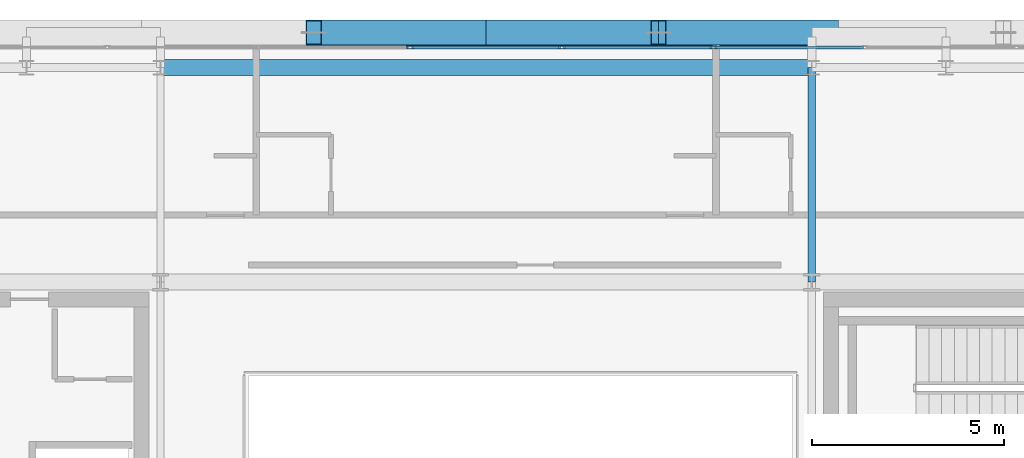
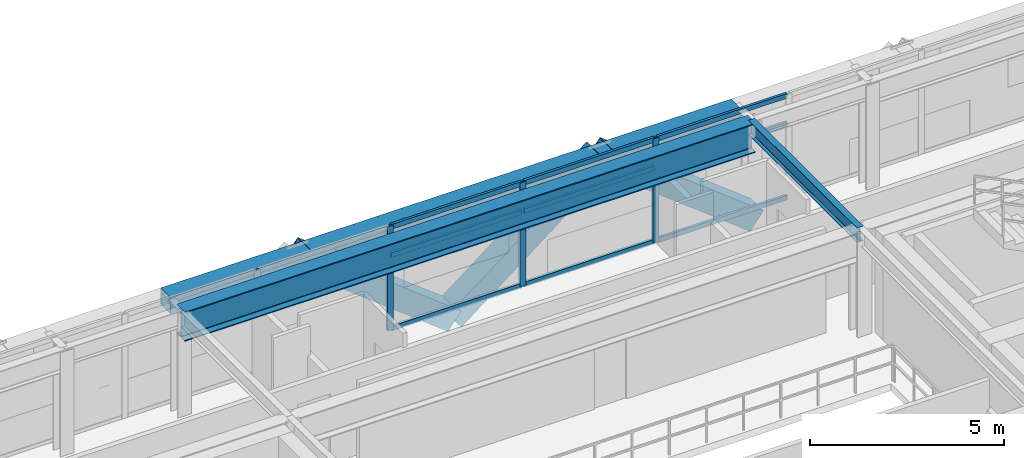
# One storey, part 15 of 28: 15 members, 3 beams, 1 element without a shape of its own.
"""IFC4 building model written with IfcOpenShell, lengths in metres."""

from ifc_helpers import new_model, si_unit, direction, frame, origin, origin_2d, place, context, subcontext, project, spatial, hollow_rectangle, i_section, extrude, source, transform, mapped, material, layer, layer_set, material_profile, profile_set, type_object, element, aggregate, save


model = new_model("IFC4")

# Units and contexts
model_context = context("Model", 3, precision=1e-05, world=origin(), true_north=direction((0.0, 1.0)))
body_context = subcontext(model_context, "Body", "Model", "MODEL_VIEW")
ifc_project = project(units=[si_unit("LENGTHUNIT", "METRE"), si_unit("AREAUNIT", "SQUARE_METRE"), si_unit("VOLUMEUNIT", "CUBIC_METRE"), si_unit("PLANEANGLEUNIT", "RADIAN"), si_unit("MASSUNIT", "GRAM", prefix="KILO")], contexts=[model_context])

# Site, building, storey
site_placement = place(None, origin())
site = spatial("IfcSite", under=ifc_project, at=site_placement, CompositionType="ELEMENT")
building_placement = place(site_placement, origin())
building = spatial("IfcBuilding", under=site, at=building_placement, Name="Ocotamira Hotel", CompositionType="ELEMENT")
storey_placement = place(building_placement, frame((0.0, 0.0, 243.60009765625)))
storey = spatial("IfcBuildingStorey", under=building, at=storey_placement, Name="L61", CompositionType="ELEMENT", Elevation=243.60009765625)

# Beams
ifc_material_1 = material(Name="Steel ASTM A992 Grade 50", Category="steel")
ifc_material_profile_1 = material_profile(ifc_material_1, i_section(OverallWidth=0.41796875, OverallDepth=0.927001953125, WebThickness=0.019287109375, FlangeThickness=0.031982421875, FilletRadius=0.02392578125, at=origin_2d()), Name="W36X231")
ifc_profile_set_1 = profile_set([ifc_material_profile_1], Name="Steel ASTM A992 Grade 50")
beam_type_1 = type_object("IfcBeamType", Name="BM-GIRD-W36X231", PredefinedType="BEAM", material=ifc_profile_set_1)
shared_shape_1 = source(origin(), body_context, "Body", "SweptSolid", [
    extrude(i_section(OverallWidth=0.41796875, OverallDepth=0.927001953125, WebThickness=0.019287109375, FlangeThickness=0.031982421875, FilletRadius=0.02392578125, at=origin_2d()), origin(), (0.0, 0.0, 1.0), 17.0),
])
beam_1_placement = place(storey_placement, frame((23.5, 43.050048828125, 2.81640625), z_axis=(1.0, 0.0, 0.0), x_axis=(0.0, 1.0, 0.0)))
element("IfcBeam", 1, at=beam_1_placement, inside=storey, type_object=beam_type_1, Name="L61 Girder Y43.05 X23.5-40.5", PredefinedType="BEAM", context=body_context, shape_type="MappedRepresentation", body=[
    mapped(shared_shape_1, transform((0.0, 0.0, 0.0), scale=1.0)),
])
ifc_material_2 = material(Name="Steel ASTM A500 Grade C", Category="steel")
ifc_material_profile_2 = material_profile(ifc_material_2, hollow_rectangle(XDim=0.5, YDim=0.5, WallThickness=0.02001953125, at=origin_2d()), Name="HSS500X500X20")
ifc_profile_set_2 = profile_set([ifc_material_profile_2], Name="Steel ASTM A500 Grade C")
beam_type_2 = type_object("IfcBeamType", Name="BM-SPAN-HSS500", PredefinedType="USERDEFINED", material=ifc_profile_set_2)
shared_shape_2 = source(origin(), body_context, "Body", "SweptSolid", [
    extrude(hollow_rectangle(XDim=0.5, YDim=0.5, WallThickness=0.02001953125, at=origin_2d()), origin(), (0.0, 0.0, 1.0), 17.0),
])
beam_2_placement = place(storey_placement, frame((23.5, 43.85009765625, 3.02978515625), z_axis=(1.0, 0.0, 0.0), x_axis=(0.0, 1.0, 0.0)))
element("IfcBeam", 2, at=beam_2_placement, inside=storey, type_object=beam_type_2, Name="L61 Edge Spandrel N X23.5-40.5", ObjectType="SPANDREL", PredefinedType="USERDEFINED", context=body_context, shape_type="MappedRepresentation", body=[
    mapped(shared_shape_2, transform((0.0, 0.0, 0.0), scale=1.0)),
])
ifc_material_profile_3 = material_profile(ifc_material_1, i_section(OverallWidth=0.18994140625, OverallDepth=0.45703125, WebThickness=0.009033203125, FlangeThickness=0.014404296875, FilletRadius=0.010009765625, at=origin_2d()), Name="W18X50")
ifc_profile_set_3 = profile_set([ifc_material_profile_3], Name="Steel ASTM A992 Grade 50")
beam_type_3 = type_object("IfcBeamType", Name="BM-SEC-W18X50", PredefinedType="JOIST", material=ifc_profile_set_3)
shared_shape_3 = source(origin(), body_context, "Body", "SweptSolid", [
    extrude(i_section(OverallWidth=0.18994140625, OverallDepth=0.45703125, WebThickness=0.009033203125, FlangeThickness=0.014404296875, FilletRadius=0.010009765625, at=origin_2d()), origin(), (0.0, 0.0, 1.0), 5.60009765625),
])
beam_3_placement = place(storey_placement, frame((40.5, 37.449951171875, 3.051513671875), z_axis=(0.0, 1.0, 0.0), x_axis=(-1.0, 0.0, 0.0)))
element("IfcBeam", 3, at=beam_3_placement, inside=storey, type_object=beam_type_3, Name="L61 Beam X40.5 Y37.45-43.05", PredefinedType="JOIST", context=body_context, shape_type="MappedRepresentation", body=[
    mapped(shared_shape_3, transform((0.0, 0.0, 0.0), scale=1.0)),
])

# Members
ifc_material_3 = material(Name="Pale-metal coated steel ASTM A913 Grade 65", Category="steel")
ifc_material_profile_4 = material_profile(ifc_material_3, hollow_rectangle(XDim=0.64990234375, YDim=0.64990234375, WallThickness=0.02197265625, at=origin_2d()), Name="BOX650X650X22")
ifc_profile_set_4 = profile_set([ifc_material_profile_4], Name="Pale-metal coated steel ASTM A913 Grade 65")
member_type_1 = type_object("IfcMemberType", Name="MEM-EXO-BOX650", PredefinedType="BRACE", material=ifc_profile_set_4)
shared_shape_4 = source(origin(), body_context, "Body", "SweptSolid", [
    extrude(hollow_rectangle(XDim=0.64990234375, YDim=0.64990234375, WallThickness=0.02197265625, at=origin_2d()), origin(), (0.0, 0.0, 1.0), 5.700927734375),
])
for number, where, z_axis, x_axis, name in (
    (4, (32.0, 43.969970703125, -0.47021484375), (-0.789352217376, 0.0, 0.613940613515), (0.0, -1.0, 0.0), "L61 Exoskeleton Diagrid N1.2"),
    (5, (32.0, 43.969970703125, -0.47021484375), (0.789352217376, 0.0, 0.613940613515), (0.0, 1.0, 0.0), "L61 Exoskeleton Diagrid N2.1"),
    (6, (41.0, 43.969970703125, -0.47021484375), (-0.789352217376, 0.0, 0.613940613515), (0.0, -1.0, 0.0), "L61 Exoskeleton Diagrid N2.2"),
):
    element("IfcMember", number, at=place(storey_placement, frame(where, z_axis=z_axis, x_axis=x_axis)), inside=storey, type_object=member_type_1, Name=name, PredefinedType="BRACE", context=body_context, shape_type="MappedRepresentation", body=[
        mapped(shared_shape_4, transform((0.0, 0.0, 0.0), scale=1.0)),
    ])

# Curtain wall, members
ifc_material_4 = material(Name="Anodised pale-metal aluminium and solar glass", Category="aluminium")
ifc_layer = layer(ifc_material_4, 0.239990234375)
ifc_layer_set = layer_set([ifc_layer], Name="Anodised pale-metal aluminium and solar glass")
curtain_wall_type = type_object("IfcCurtainWallType", Name="CW-SYS5-SKY", PredefinedType="NOTDEFINED", material=ifc_layer_set)
curtain_wall_placement = place(storey_placement, origin())
curtain_wall = element("IfcCurtainWall", 7, at=curtain_wall_placement, inside=storey, type_object=curtain_wall_type, Name="L61 Curtain Wall CW-5 CW-L61-N", PredefinedType="NOTDEFINED")
ifc_material_5 = material(Name="Anodised pale-metal aluminium 6063-T6", Category="aluminium")
ifc_material_profile_5 = material_profile(ifc_material_5, hollow_rectangle(XDim=0.074951171875, YDim=0.14990234375, WallThickness=0.006103515625, at=origin_2d()), Name="HSS150X75X6")
ifc_profile_set_5 = profile_set([ifc_material_profile_5], Name="Anodised pale-metal aluminium 6063-T6")
member_type_2 = type_object("IfcMemberType", Name="CWT-150X75", PredefinedType="USERDEFINED", material=ifc_profile_set_5)
shared_shape_5 = source(origin(), body_context, "Body", "SweptSolid", [
    extrude(hollow_rectangle(XDim=0.074951171875, YDim=0.14990234375, WallThickness=0.006103515625, at=origin_2d()), origin(), (0.0, 0.0, 1.0), 3.87548828125),
])
member_1_placement = place(storey_placement, frame((30.062255859375, 43.580078125, 0.037353515625), z_axis=(1.0, 0.0, 0.0), x_axis=(0.0, 1.0, 0.0)))
member_1 = element("IfcMember", 8, at=member_1_placement, type_object=member_type_2, Name="CW-5 transom 5.1", ObjectType="TRANSOM", PredefinedType="USERDEFINED", context=body_context, shape_type="MappedRepresentation", body=[
    mapped(shared_shape_5, transform((0.0, 0.0, 0.0), scale=1.0)),
])
member_2_placement = place(storey_placement, frame((30.062255859375, 43.580078125, 2.349853515625), z_axis=(1.0, 0.0, 0.0), x_axis=(0.0, 1.0, 0.0)))
member_2 = element("IfcMember", 9, at=member_2_placement, type_object=member_type_2, Name="CW-5 transom 5.2", ObjectType="TRANSOM", PredefinedType="USERDEFINED", context=body_context, shape_type="MappedRepresentation", body=[
    mapped(shared_shape_5, transform((0.0, 0.0, 0.0), scale=1.0)),
])
member_3_placement = place(storey_placement, frame((30.062255859375, 43.580078125, 3.242431640625), z_axis=(1.0, 0.0, 0.0), x_axis=(0.0, 1.0, 0.0)))
member_3 = element("IfcMember", 10, at=member_3_placement, type_object=member_type_2, Name="CW-5 transom 5.3", ObjectType="TRANSOM", PredefinedType="USERDEFINED", context=body_context, shape_type="MappedRepresentation", body=[
    mapped(shared_shape_5, transform((0.0, 0.0, 0.0), scale=1.0)),
])
member_4_placement = place(storey_placement, frame((34.017822265625, 43.580078125, 0.037353515625), z_axis=(1.0, 0.0, 0.0), x_axis=(0.0, 1.0, 0.0)))
member_4 = element("IfcMember", 11, at=member_4_placement, type_object=member_type_2, Name="CW-5 transom 6.1", ObjectType="TRANSOM", PredefinedType="USERDEFINED", context=body_context, shape_type="MappedRepresentation", body=[
    mapped(shared_shape_5, transform((0.0, 0.0, 0.0), scale=1.0)),
])
member_5_placement = place(storey_placement, frame((34.017822265625, 43.580078125, 2.349853515625), z_axis=(1.0, 0.0, 0.0), x_axis=(0.0, 1.0, 0.0)))
member_5 = element("IfcMember", 12, at=member_5_placement, type_object=member_type_2, Name="CW-5 transom 6.2", ObjectType="TRANSOM", PredefinedType="USERDEFINED", context=body_context, shape_type="MappedRepresentation", body=[
    mapped(shared_shape_5, transform((0.0, 0.0, 0.0), scale=1.0)),
])
member_6_placement = place(storey_placement, frame((34.017822265625, 43.580078125, 3.242431640625), z_axis=(1.0, 0.0, 0.0), x_axis=(0.0, 1.0, 0.0)))
member_6 = element("IfcMember", 13, at=member_6_placement, type_object=member_type_2, Name="CW-5 transom 6.3", ObjectType="TRANSOM", PredefinedType="USERDEFINED", context=body_context, shape_type="MappedRepresentation", body=[
    mapped(shared_shape_5, transform((0.0, 0.0, 0.0), scale=1.0)),
])
member_7_placement = place(storey_placement, frame((37.973388671875, 43.580078125, 0.037353515625), z_axis=(1.0, 0.0, 0.0), x_axis=(0.0, 1.0, 0.0)))
member_7 = element("IfcMember", 14, at=member_7_placement, type_object=member_type_2, Name="CW-5 transom 7.1", ObjectType="TRANSOM", PredefinedType="USERDEFINED", context=body_context, shape_type="MappedRepresentation", body=[
    mapped(shared_shape_5, transform((0.0, 0.0, 0.0), scale=1.0)),
])
member_8_placement = place(storey_placement, frame((37.973388671875, 43.580078125, 2.349853515625), z_axis=(1.0, 0.0, 0.0), x_axis=(0.0, 1.0, 0.0)))
member_8 = element("IfcMember", 15, at=member_8_placement, type_object=member_type_2, Name="CW-5 transom 7.2", ObjectType="TRANSOM", PredefinedType="USERDEFINED", context=body_context, shape_type="MappedRepresentation", body=[
    mapped(shared_shape_5, transform((0.0, 0.0, 0.0), scale=1.0)),
])
member_9_placement = place(storey_placement, frame((37.973388671875, 43.580078125, 3.242431640625), z_axis=(1.0, 0.0, 0.0), x_axis=(0.0, 1.0, 0.0)))
member_9 = element("IfcMember", 16, at=member_9_placement, type_object=member_type_2, Name="CW-5 transom 7.3", ObjectType="TRANSOM", PredefinedType="USERDEFINED", context=body_context, shape_type="MappedRepresentation", body=[
    mapped(shared_shape_5, transform((0.0, 0.0, 0.0), scale=1.0)),
])
ifc_material_profile_6 = material_profile(ifc_material_5, hollow_rectangle(XDim=0.080078125, YDim=0.179931640625, WallThickness=0.006103515625, at=origin_2d()), Name="HSS180X80X6")
ifc_profile_set_6 = profile_set([ifc_material_profile_6], Name="Anodised pale-metal aluminium 6063-T6")
member_type_3 = type_object("IfcMemberType", Name="CWM-180X75", PredefinedType="MULLION", material=ifc_profile_set_6)
shared_shape_6 = source(origin(), body_context, "Body", "SweptSolid", [
    extrude(hollow_rectangle(XDim=0.080078125, YDim=0.179931640625, WallThickness=0.006103515625, at=origin_2d()), origin(), (0.0, 0.0, 1.0), 3.27978515625),
])
member_10_placement = place(storey_placement, frame((30.022216796875, 43.580078125, 0.0), z_axis=(0.0, 0.0, 1.0), x_axis=(0.0, 1.0, 0.0)))
member_10 = element("IfcMember", 17, at=member_10_placement, type_object=member_type_3, Name="CW-5 mullion 5", PredefinedType="MULLION", context=body_context, shape_type="MappedRepresentation", body=[
    mapped(shared_shape_6, transform((0.0, 0.0, 0.0), scale=1.0)),
])
member_11_placement = place(storey_placement, frame((33.977783203125, 43.580078125, 0.0), z_axis=(0.0, 0.0, 1.0), x_axis=(0.0, 1.0, 0.0)))
member_11 = element("IfcMember", 18, at=member_11_placement, type_object=member_type_3, Name="CW-5 mullion 6", PredefinedType="MULLION", context=body_context, shape_type="MappedRepresentation", body=[
    mapped(shared_shape_6, transform((0.0, 0.0, 0.0), scale=1.0)),
])
member_12_placement = place(storey_placement, frame((37.933349609375, 43.580078125, 0.0), z_axis=(0.0, 0.0, 1.0), x_axis=(0.0, 1.0, 0.0)))
member_12 = element("IfcMember", 19, at=member_12_placement, type_object=member_type_3, Name="CW-5 mullion 7", PredefinedType="MULLION", context=body_context, shape_type="MappedRepresentation", body=[
    mapped(shared_shape_6, transform((0.0, 0.0, 0.0), scale=1.0)),
])
aggregate(curtain_wall, [member_10, member_11, member_12, member_1, member_2, member_3, member_4, member_5, member_6, member_7, member_8, member_9])

save(model, "model.ifc")
